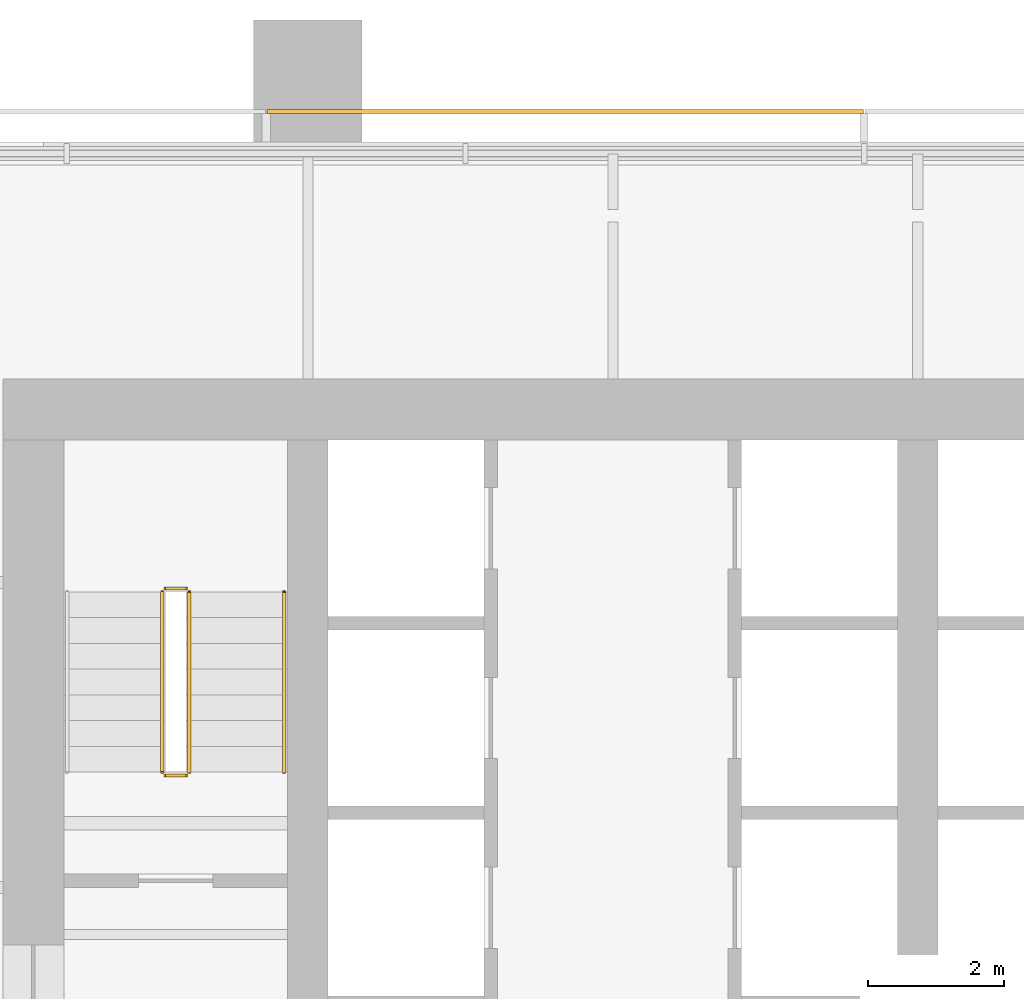
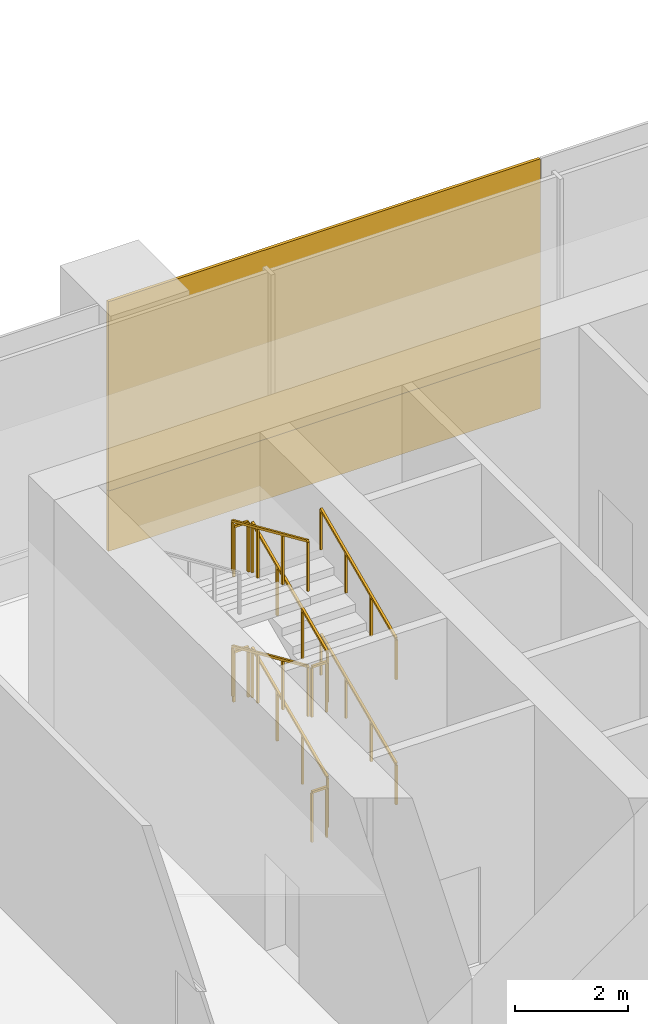
# One storey, part 12 of 15: 10 railings, 2 coverings.
"""IFC4 building model written with IfcOpenShell, lengths in metres."""

from ifc_helpers import new_model, si_unit, direction, frame, origin, origin_2d, place, context, subcontext, project, spatial, rectangle, extrude, material, layer, layer_set, type_object, element, save


model = new_model("IFC4")

# Units and contexts
model_context = context("Model", 3, precision=1e-05, world=origin(), true_north=direction((0.0, 1.0)))
body_context = subcontext(model_context, "Body", "Model", "MODEL_VIEW")
ifc_project = project(units=[si_unit("LENGTHUNIT", "METRE"), si_unit("AREAUNIT", "SQUARE_METRE"), si_unit("VOLUMEUNIT", "CUBIC_METRE"), si_unit("PLANEANGLEUNIT", "RADIAN"), si_unit("MASSUNIT", "GRAM", prefix="KILO")], contexts=[model_context])

# Site, building, storey
site_placement = place(None, origin())
site = spatial("IfcSite", under=ifc_project, at=site_placement, CompositionType="ELEMENT")
building_placement = place(site_placement, origin())
building = spatial("IfcBuilding", under=site, at=building_placement, Name="Rattan Terrace Tower", CompositionType="ELEMENT")
storey_placement = place(building_placement, frame((0.0, 0.0, 74.300048828125)))
storey = spatial("IfcBuildingStorey", under=building, at=storey_placement, Name="L16", CompositionType="ELEMENT", Elevation=74.300048828125)

# Railings
ifc_material_1 = material(Name="Powder-coated steel guard", Category="steel")
railing_type_1 = type_object("IfcRailingType", Name="Core stair guard", PredefinedType="GUARDRAIL", material=ifc_material_1)
railing_1_placement = place(storey_placement, frame((-15.25, 1.699951171875, 0.168701171875)))
element("IfcRailing", 1, at=railing_1_placement, inside=storey, type_object=railing_type_1, Name="L16 S1 stair guard 1", PredefinedType="GUARDRAIL", context=body_context, shape_type="SweptSolid", body=[
    extrude(rectangle(XDim=0.048095703125, YDim=0.048095703125, at=origin_2d()), frame((0.0, 0.0, 1.076171875), z_axis=(0.0, 0.913956766905, 0.405811567391), x_axis=(-1.0, 0.0, 0.0)), (0.0, 0.0, 1.0), 2.91064453125),
    extrude(rectangle(XDim=0.0419921875, YDim=0.0419921875, at=origin_2d()), origin(), (0.0, 0.0, 1.0), 1.052001953125),
    extrude(rectangle(XDim=0.0419921875, YDim=0.0419921875, at=origin_2d()), frame((0.0, 0.88671875, 0.393798828125)), (0.0, 0.0, 1.0), 1.052001953125),
    extrude(rectangle(XDim=0.0419921875, YDim=0.0419921875, at=origin_2d()), frame((0.0, 1.7734375, 0.787353515625)), (0.0, 0.0, 1.0), 1.052001953125),
    extrude(rectangle(XDim=0.0419921875, YDim=0.0419921875, at=origin_2d()), frame((0.0, 2.66015625, 1.18115234375)), (0.0, 0.0, 1.0), 1.052001953125),
])
railing_2_placement = place(storey_placement, frame((-15.300048828125, 4.409912109375, 1.349853515625)))
element("IfcRailing", 2, at=railing_2_placement, inside=storey, type_object=railing_type_1, Name="L16 S1 stair guard 2", PredefinedType="GUARDRAIL", context=body_context, shape_type="SweptSolid", body=[
    extrude(rectangle(XDim=0.048095703125, YDim=0.048095703125, at=origin_2d()), frame((0.0, 0.0, 1.076171875), z_axis=(-1.0, 0.0, 0.0), x_axis=(0.0, -1.0, 0.0)), (0.0, 0.0, 1.0), 0.300048828125),
    extrude(rectangle(XDim=0.0419921875, YDim=0.0419921875, at=origin_2d()), origin(), (0.0, 0.0, 1.0), 1.052001953125),
    extrude(rectangle(XDim=0.0419921875, YDim=0.0419921875, at=origin_2d()), frame((-0.300048828125, 0.0, 0.0)), (0.0, 0.0, 1.0), 1.052001953125),
])
railing_3_placement = place(storey_placement, frame((-15.64990234375, 4.360107421875, 1.518798828125)))
element("IfcRailing", 3, at=railing_3_placement, inside=storey, type_object=railing_type_1, Name="L16 S1 stair guard 3", PredefinedType="GUARDRAIL", context=body_context, shape_type="SweptSolid", body=[
    extrude(rectangle(XDim=0.048095703125, YDim=0.048095703125, at=origin_2d()), frame((0.0, 0.0, 1.076171875), z_axis=(0.0, -0.913956766905, 0.405811567391), x_axis=(1.0, 0.0, 0.0)), (0.0, 0.0, 1.0), 2.91064453125),
    extrude(rectangle(XDim=0.0419921875, YDim=0.0419921875, at=origin_2d()), origin(), (0.0, 0.0, 1.0), 1.052001953125),
    extrude(rectangle(XDim=0.0419921875, YDim=0.0419921875, at=origin_2d()), frame((0.0, -0.88671875, 0.393798828125)), (0.0, 0.0, 1.0), 1.052001953125),
    extrude(rectangle(XDim=0.0419921875, YDim=0.0419921875, at=origin_2d()), frame((0.0, -1.7734375, 0.787353515625)), (0.0, 0.0, 1.0), 1.052001953125),
    extrude(rectangle(XDim=0.0419921875, YDim=0.0419921875, at=origin_2d()), frame((0.0, -2.66015625, 1.18115234375)), (0.0, 0.0, 1.0), 1.052001953125),
])
railing_4_placement = place(storey_placement, frame((-15.300048828125, 1.64990234375, 2.699951171875)))
element("IfcRailing", 4, at=railing_4_placement, inside=storey, type_object=railing_type_1, Name="L16 S1 stair guard 4", PredefinedType="GUARDRAIL", context=body_context, shape_type="SweptSolid", body=[
    extrude(rectangle(XDim=0.048095703125, YDim=0.048095703125, at=origin_2d()), frame((0.0, 0.0, 1.076171875), z_axis=(-1.0, 0.0, 0.0), x_axis=(0.0, -1.0, 0.0)), (0.0, 0.0, 1.0), 0.300048828125),
    extrude(rectangle(XDim=0.0419921875, YDim=0.0419921875, at=origin_2d()), origin(), (0.0, 0.0, 1.0), 1.052001953125),
    extrude(rectangle(XDim=0.0419921875, YDim=0.0419921875, at=origin_2d()), frame((-0.300048828125, 0.0, 0.0)), (0.0, 0.0, 1.0), 1.052001953125),
])
railing_5_placement = place(storey_placement, frame((-15.25, 1.699951171875, 2.86865234375)))
element("IfcRailing", 5, at=railing_5_placement, inside=storey, type_object=railing_type_1, Name="L16 S1 stair guard 5", PredefinedType="GUARDRAIL", context=body_context, shape_type="SweptSolid", body=[
    extrude(rectangle(XDim=0.048095703125, YDim=0.048095703125, at=origin_2d()), frame((0.0, 0.0, 1.076171875), z_axis=(0.0, 0.913925654661, 0.405881630223), x_axis=(-1.0, 0.0, 0.0)), (0.0, 0.0, 1.0), 2.91064453125),
    extrude(rectangle(XDim=0.0419921875, YDim=0.0419921875, at=origin_2d()), origin(), (0.0, 0.0, 1.0), 1.052001953125),
    extrude(rectangle(XDim=0.0419921875, YDim=0.0419921875, at=origin_2d()), frame((0.0, 0.88671875, 0.393798828125)), (0.0, 0.0, 1.0), 1.052001953125),
    extrude(rectangle(XDim=0.0419921875, YDim=0.0419921875, at=origin_2d()), frame((0.0, 1.7734375, 0.78759765625)), (0.0, 0.0, 1.0), 1.052001953125),
    extrude(rectangle(XDim=0.0419921875, YDim=0.0419921875, at=origin_2d()), frame((0.0, 2.66015625, 1.181396484375)), (0.0, 0.0, 1.0), 1.052001953125),
])
railing_6_placement = place(storey_placement, frame((-15.300048828125, 4.409912109375, 4.050048828125)))
element("IfcRailing", 6, at=railing_6_placement, inside=storey, type_object=railing_type_1, Name="L16 S1 stair guard 6", PredefinedType="GUARDRAIL", context=body_context, shape_type="SweptSolid", body=[
    extrude(rectangle(XDim=0.048095703125, YDim=0.048095703125, at=origin_2d()), frame((0.0, 0.0, 1.076171875), z_axis=(-1.0, 0.0, 0.0), x_axis=(0.0, -1.0, 0.0)), (0.0, 0.0, 1.0), 0.300048828125),
    extrude(rectangle(XDim=0.0419921875, YDim=0.0419921875, at=origin_2d()), origin(), (0.0, 0.0, 1.0), 1.052001953125),
    extrude(rectangle(XDim=0.0419921875, YDim=0.0419921875, at=origin_2d()), frame((-0.300048828125, 0.0, 0.0)), (0.0, 0.0, 1.0), 1.052001953125),
])
railing_7_placement = place(storey_placement, frame((-15.64990234375, 4.360107421875, 4.21875)))
element("IfcRailing", 7, at=railing_7_placement, inside=storey, type_object=railing_type_1, Name="L16 S1 stair guard 7", PredefinedType="GUARDRAIL", context=body_context, shape_type="SweptSolid", body=[
    extrude(rectangle(XDim=0.048095703125, YDim=0.048095703125, at=origin_2d()), frame((0.0, 0.0, 1.076171875), z_axis=(0.0, -0.913956766905, 0.405811567391), x_axis=(1.0, 0.0, 0.0)), (0.0, 0.0, 1.0), 2.91064453125),
    extrude(rectangle(XDim=0.0419921875, YDim=0.0419921875, at=origin_2d()), origin(), (0.0, 0.0, 1.0), 1.052001953125),
    extrude(rectangle(XDim=0.0419921875, YDim=0.0419921875, at=origin_2d()), frame((0.0, -0.88671875, 0.393798828125)), (0.0, 0.0, 1.0), 1.052001953125),
    extrude(rectangle(XDim=0.0419921875, YDim=0.0419921875, at=origin_2d()), frame((0.0, -1.7734375, 0.787353515625)), (0.0, 0.0, 1.0), 1.052001953125),
    extrude(rectangle(XDim=0.0419921875, YDim=0.0419921875, at=origin_2d()), frame((0.0, -2.66015625, 1.18115234375)), (0.0, 0.0, 1.0), 1.052001953125),
])
railing_8_placement = place(storey_placement, frame((-15.300048828125, 1.64990234375, 0.0)))
element("IfcRailing", 8, at=railing_8_placement, inside=storey, type_object=railing_type_1, Name="L16 S1 stair guard 8", PredefinedType="GUARDRAIL", context=body_context, shape_type="SweptSolid", body=[
    extrude(rectangle(XDim=0.048095703125, YDim=0.048095703125, at=origin_2d()), frame((0.0, 0.0, 1.076171875), z_axis=(-1.0, 0.0, 0.0), x_axis=(0.0, -1.0, 0.0)), (0.0, 0.0, 1.0), 0.300048828125),
    extrude(rectangle(XDim=0.0419921875, YDim=0.0419921875, at=origin_2d()), origin(), (0.0, 0.0, 1.0), 1.052001953125),
    extrude(rectangle(XDim=0.0419921875, YDim=0.0419921875, at=origin_2d()), frame((-0.300048828125, 0.0, 0.0)), (0.0, 0.0, 1.0), 1.052001953125),
])
ifc_material_2 = material(Name="Powder-coated steel handrail", Category="steel")
railing_type_2 = type_object("IfcRailingType", Name="Core stair handrail", PredefinedType="HANDRAIL", material=ifc_material_2)
railing_9_placement = place(storey_placement, frame((-13.85009765625, 1.699951171875, 0.168701171875)))
element("IfcRailing", 9, at=railing_9_placement, inside=storey, type_object=railing_type_2, Name="L16 S1 stair handrail 1", PredefinedType="HANDRAIL", context=body_context, shape_type="SweptSolid", body=[
    extrude(rectangle(XDim=0.048095703125, YDim=0.048095703125, at=origin_2d()), frame((0.0, 0.0, 0.8759765625), z_axis=(0.0, 0.913956766905, 0.405811567391), x_axis=(-1.0, 0.0, 0.0)), (0.0, 0.0, 1.0), 2.91064453125),
    extrude(rectangle(XDim=0.0419921875, YDim=0.0419921875, at=origin_2d()), origin(), (0.0, 0.0, 1.0), 0.851806640625),
    extrude(rectangle(XDim=0.0419921875, YDim=0.0419921875, at=origin_2d()), frame((0.0, 0.88671875, 0.393798828125)), (0.0, 0.0, 1.0), 0.851806640625),
    extrude(rectangle(XDim=0.0419921875, YDim=0.0419921875, at=origin_2d()), frame((0.0, 1.7734375, 0.787353515625)), (0.0, 0.0, 1.0), 0.851806640625),
    extrude(rectangle(XDim=0.0419921875, YDim=0.0419921875, at=origin_2d()), frame((0.0, 2.66015625, 1.18115234375)), (0.0, 0.0, 1.0), 0.851806640625),
])
railing_10_placement = place(storey_placement, frame((-13.85009765625, 1.699951171875, 2.86865234375)))
element("IfcRailing", 10, at=railing_10_placement, inside=storey, type_object=railing_type_2, Name="L16 S1 stair handrail 3", PredefinedType="HANDRAIL", context=body_context, shape_type="SweptSolid", body=[
    extrude(rectangle(XDim=0.048095703125, YDim=0.048095703125, at=origin_2d()), frame((0.0, 0.0, 0.8759765625), z_axis=(0.0, 0.913925654661, 0.405881630223), x_axis=(-1.0, 0.0, 0.0)), (0.0, 0.0, 1.0), 2.91064453125),
    extrude(rectangle(XDim=0.0419921875, YDim=0.0419921875, at=origin_2d()), origin(), (0.0, 0.0, 1.0), 0.851806640625),
    extrude(rectangle(XDim=0.0419921875, YDim=0.0419921875, at=origin_2d()), frame((0.0, 0.88671875, 0.393798828125)), (0.0, 0.0, 1.0), 0.851806640625),
    extrude(rectangle(XDim=0.0419921875, YDim=0.0419921875, at=origin_2d()), frame((0.0, 1.7734375, 0.78759765625)), (0.0, 0.0, 1.0), 0.851806640625),
    extrude(rectangle(XDim=0.0419921875, YDim=0.0419921875, at=origin_2d()), frame((0.0, 2.66015625, 1.181396484375)), (0.0, 0.0, 1.0), 0.851806640625),
])

# Coverings
ifc_material_3 = material(Name="Solid terracotta", Category="masonry")
ifc_layer_1 = layer(ifc_material_3, 0.06005859375)
ifc_layer_set_1 = layer_set([ifc_layer_1], Name="Facade Terracotta Band Panel")
covering_type_1 = type_object("IfcCoveringType", Name="Facade Terracotta Band Panel", PredefinedType="CLADDING", material=ifc_layer_set_1)
covering_1_placement = place(storey_placement, frame((-9.70361328125, 11.449951171875, -0.18994140625), z_axis=(0.0, 0.0, 1.0), x_axis=(-1.0, 0.0, 0.0)))
element("IfcCovering", 11, at=covering_1_placement, inside=storey, type_object=covering_type_1, Name="OUTER SKIN panel L16-19A", PredefinedType="CLADDING", context=body_context, shape_type="SweptSolid", body=[
    extrude(rectangle(XDim=8.802978515625, YDim=0.06005859375, at=origin_2d()), origin(), (0.0, 0.0, 1.0), 1.300048828125),
])
ifc_material_4 = material(Name="Perforated terracotta", Category="masonry")
ifc_layer_2 = layer(ifc_material_4, 0.06005859375)
ifc_layer_set_2 = layer_set([ifc_layer_2], Name="Facade Terracotta Screen Panel")
covering_type_2 = type_object("IfcCoveringType", Name="Facade Terracotta Screen Panel", PredefinedType="CLADDING", material=ifc_layer_set_2)
covering_2_placement = place(storey_placement, frame((-9.70361328125, 11.449951171875, 1.10986328125), z_axis=(0.0, 0.0, 1.0), x_axis=(-1.0, 0.0, 0.0)))
element("IfcCovering", 12, at=covering_2_placement, inside=storey, type_object=covering_type_2, Name="OUTER SKIN panel L16-19B", PredefinedType="CLADDING", context=body_context, shape_type="SweptSolid", body=[
    extrude(rectangle(XDim=8.802978515625, YDim=0.06005859375, at=origin_2d()), origin(), (0.0, 0.0, 1.0), 4.080078125),
])

save(model, "model.ifc")
